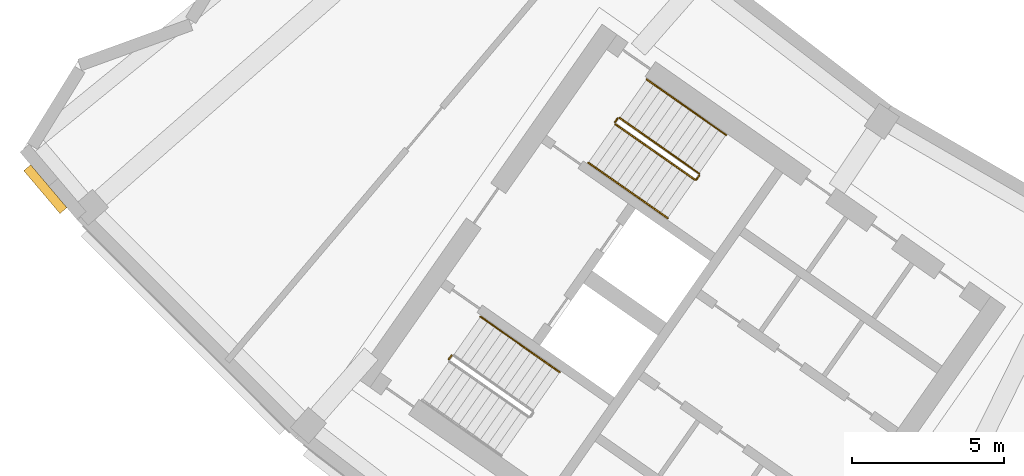
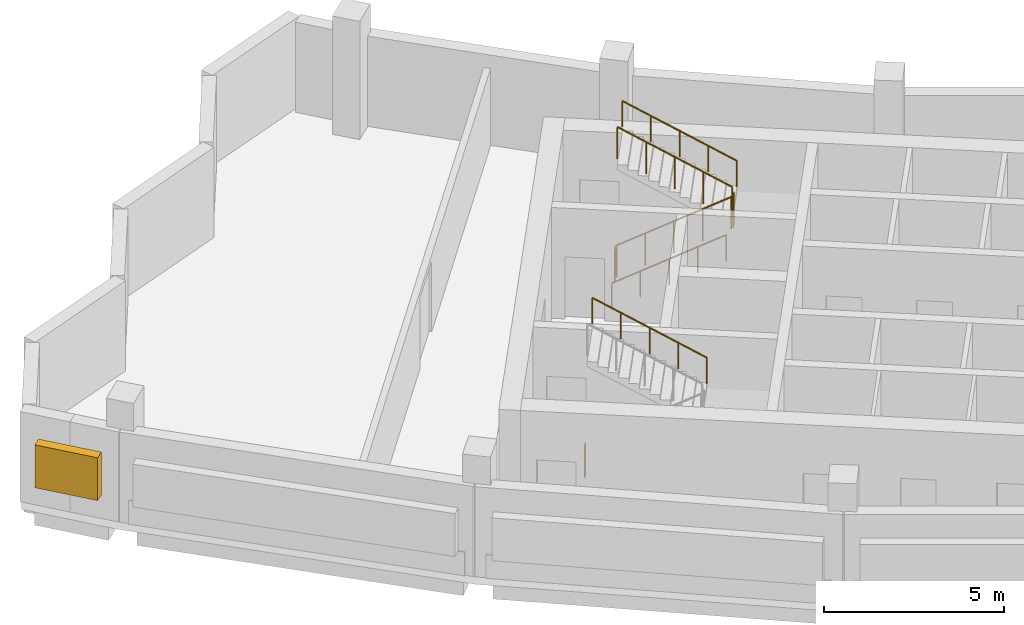
# One storey, part 9 of 11: 7 railings, 1 shading device.
"""IFC4 building model written with IfcOpenShell, lengths in metres."""

from ifc_helpers import new_model, si_unit, direction, frame, origin, origin_2d, place, context, subcontext, project, spatial, rectangle, circle, extrude, material, type_object, element, save


model = new_model("IFC4")

# Units and contexts
model_context = context("Model", 3, precision=1e-05, world=origin(), true_north=direction((0.0, 1.0)))
body_context = subcontext(model_context, "Body", "Model", "MODEL_VIEW")
ifc_project = project(units=[si_unit("LENGTHUNIT", "METRE"), si_unit("AREAUNIT", "SQUARE_METRE"), si_unit("VOLUMEUNIT", "CUBIC_METRE"), si_unit("PLANEANGLEUNIT", "RADIAN"), si_unit("MASSUNIT", "GRAM", prefix="KILO")], contexts=[model_context])

# Site, building, storey
site_placement = place(None, origin())
site = spatial("IfcSite", under=ifc_project, at=site_placement, CompositionType="ELEMENT")
building_placement = place(site_placement, origin())
building = spatial("IfcBuilding", under=site, at=building_placement, Name="Qamariyya Broadcast Tower", CompositionType="ELEMENT")
storey_placement = place(building_placement, frame((0.0, 0.0, 298.699951171875)))
storey = spatial("IfcBuildingStorey", under=building, at=storey_placement, Name="L72", CompositionType="ELEMENT", Elevation=298.699951171875)

# Railings
ifc_material_1 = material(Name="Painted steel", Category="steel")
railing_type_1 = type_object("IfcRailingType", Name="Stair guard", PredefinedType="GUARDRAIL", material=ifc_material_1)
railing_1_placement = place(storey_placement, frame((-41.146728515625, -48.52490234375, 0.166748046875)))
element("IfcRailing", 1, at=railing_1_placement, inside=storey, type_object=railing_type_1, Name="L72 ST-W2 stair guard 1", PredefinedType="GUARDRAIL", context=body_context, shape_type="SweptSolid", body=[
    extrude(circle(Radius=0.02392578125, at=origin_2d()), frame((0.0, 0.0, 1.076171875), z_axis=(0.710227693972, -0.497285465629, 0.498280832854), x_axis=(0.573559936391, 0.819163597438, 0.0)), (0.0, 0.0, 1.0), 3.67919921875),
    extrude(circle(Radius=0.02392578125, at=origin_2d()), frame((2.613037109375, -1.82958984375, 2.9091796875), z_axis=(0.985059694769, 0.172213233351, 0.0), x_axis=(-0.172213233351, 0.985059694769, 0.0)), (0.0, 0.0, 1.0), 0.07080078125),
    extrude(circle(Radius=0.02392578125, at=origin_2d()), frame((2.682861328125, -1.8173828125, 2.9091796875), z_axis=(0.573353020881, 0.819308436089, 0.0), x_axis=(-0.819308436089, 0.573353020881, 0.0)), (0.0, 0.0, 1.0), 0.14990234375),
    extrude(circle(Radius=0.02099609375, at=origin_2d()), origin(), (0.0, 0.0, 1.0), 1.052001953125),
    extrude(circle(Radius=0.02099609375, at=origin_2d()), frame((0.6533203125, -0.45751953125, 0.458251953125)), (0.0, 0.0, 1.0), 1.052001953125),
    extrude(circle(Radius=0.02099609375, at=origin_2d()), frame((1.306640625, -0.914794921875, 0.91650390625)), (0.0, 0.0, 1.0), 1.052001953125),
    extrude(circle(Radius=0.02099609375, at=origin_2d()), frame((1.959716796875, -1.3720703125, 1.375)), (0.0, 0.0, 1.0), 1.052001953125),
    extrude(circle(Radius=0.02099609375, at=origin_2d()), frame((2.613037109375, -1.82958984375, 1.833251953125)), (0.0, 0.0, 1.0), 1.052001953125),
    extrude(circle(Radius=0.02099609375, at=origin_2d()), frame((2.682861328125, -1.8173828125, 1.833251953125)), (0.0, 0.0, 1.0), 1.052001953125),
    extrude(circle(Radius=0.02099609375, at=origin_2d()), frame((2.768798828125, -1.694580078125, 1.833251953125)), (0.0, 0.0, 1.0), 1.052001953125),
])
railing_2_placement = place(storey_placement, frame((-38.39013671875, -50.14990234375, 2.166748046875)))
element("IfcRailing", 2, at=railing_2_placement, inside=storey, type_object=railing_type_1, Name="L72 ST-W2 stair guard 2", PredefinedType="GUARDRAIL", context=body_context, shape_type="SweptSolid", body=[
    extrude(circle(Radius=0.02392578125, at=origin_2d()), frame((0.0, 0.0, 1.076171875), z_axis=(-0.710204256923, 0.497335411159, 0.498264389913), x_axis=(-0.573611290809, -0.819127637829, 0.0)), (0.0, 0.0, 1.0), 3.67919921875),
    extrude(circle(Radius=0.02099609375, at=origin_2d()), origin(), (0.0, 0.0, 1.0), 1.052001953125),
    extrude(circle(Radius=0.02099609375, at=origin_2d()), frame((-0.6533203125, 0.45751953125, 0.458251953125)), (0.0, 0.0, 1.0), 1.052001953125),
    extrude(circle(Radius=0.02099609375, at=origin_2d()), frame((-1.306640625, 0.9150390625, 0.91650390625)), (0.0, 0.0, 1.0), 1.052001953125),
    extrude(circle(Radius=0.02099609375, at=origin_2d()), frame((-1.959716796875, 1.372314453125, 1.375)), (0.0, 0.0, 1.0), 1.052001953125),
    extrude(circle(Radius=0.02099609375, at=origin_2d()), frame((-2.613037109375, 1.829833984375, 1.833251953125)), (0.0, 0.0, 1.0), 1.052001953125),
])
railing_3_placement = place(storey_placement, frame((-41.158935546875, -48.455322265625, 0.0)))
element("IfcRailing", 3, at=railing_3_placement, inside=storey, type_object=railing_type_1, Name="L72 ST-W2 stair guard 3", PredefinedType="GUARDRAIL", context=body_context, shape_type="SweptSolid", body=[
    extrude(circle(Radius=0.02392578125, at=origin_2d()), frame((0.0, 0.0, 1.076171875), z_axis=(0.572588637393, 0.819842821722, 0.0), x_axis=(-0.819842821722, 0.572588637393, 0.0)), (0.0, 0.0, 1.0), 0.150146484375),
    extrude(circle(Radius=0.02099609375, at=origin_2d()), origin(), (0.0, 0.0, 1.0), 1.052001953125),
    extrude(circle(Radius=0.02099609375, at=origin_2d()), frame((0.0859375, 0.123046875, 0.0)), (0.0, 0.0, 1.0), 1.052001953125),
])
railing_4_placement = place(storey_placement, frame((-46.63671875, -56.278076171875, 0.0)))
element("IfcRailing", 4, at=railing_4_placement, inside=storey, type_object=railing_type_1, Name="L72 ST-W1 stair guard 3", PredefinedType="GUARDRAIL", context=body_context, shape_type="SweptSolid", body=[
    extrude(circle(Radius=0.02392578125, at=origin_2d()), frame((0.0, 0.0, 1.076171875), z_axis=(0.574444878118, 0.818543268254, 0.0), x_axis=(-0.818543268254, 0.574444878118, 0.0)), (0.0, 0.0, 1.0), 0.150146484375),
    extrude(circle(Radius=0.02099609375, at=origin_2d()), origin(), (0.0, 0.0, 1.0), 1.052001953125),
    extrude(circle(Radius=0.02099609375, at=origin_2d()), frame((0.086181640625, 0.122802734375, 0.0)), (0.0, 0.0, 1.0), 1.052001953125),
])
ifc_material_2 = material(Name="Stainless steel", Category="steel")
railing_type_2 = type_object("IfcRailingType", Name="Stair handrail", PredefinedType="HANDRAIL", material=ifc_material_2)
railing_5_placement = place(storey_placement, frame((-42.03564453125, -49.79443359375, 0.166748046875)))
element("IfcRailing", 5, at=railing_5_placement, inside=storey, type_object=railing_type_2, Name="L72 ST-W2 stair handrail 1", PredefinedType="HANDRAIL", context=body_context, shape_type="SweptSolid", body=[
    extrude(circle(Radius=0.02392578125, at=origin_2d()), frame((0.0, 0.0, 0.8759765625), z_axis=(0.710204256923, -0.497335411159, 0.498264389913), x_axis=(0.573611290809, 0.819127637829, 0.0)), (0.0, 0.0, 1.0), 3.67919921875),
    extrude(circle(Radius=0.02099609375, at=origin_2d()), origin(), (0.0, 0.0, 1.0), 0.851806640625),
    extrude(circle(Radius=0.02099609375, at=origin_2d()), frame((0.6533203125, -0.45751953125, 0.458251953125)), (0.0, 0.0, 1.0), 0.851806640625),
    extrude(circle(Radius=0.02099609375, at=origin_2d()), frame((1.306640625, -0.9150390625, 0.91650390625)), (0.0, 0.0, 1.0), 0.851806640625),
    extrude(circle(Radius=0.02099609375, at=origin_2d()), frame((1.959716796875, -1.372314453125, 1.375)), (0.0, 0.0, 1.0), 0.851806640625),
    extrude(circle(Radius=0.02099609375, at=origin_2d()), frame((2.613037109375, -1.829833984375, 1.833251953125)), (0.0, 0.0, 1.0), 0.851806640625),
])
railing_6_placement = place(storey_placement, frame((-37.501220703125, -48.880126953125, 2.166748046875)))
element("IfcRailing", 6, at=railing_6_placement, inside=storey, type_object=railing_type_2, Name="L72 ST-W2 stair handrail 2", PredefinedType="HANDRAIL", context=body_context, shape_type="SweptSolid", body=[
    extrude(circle(Radius=0.02392578125, at=origin_2d()), frame((0.0, 0.0, 0.8759765625), z_axis=(-0.710204256923, 0.497335411159, 0.498264389913), x_axis=(-0.573611290809, -0.819127637829, 0.0)), (0.0, 0.0, 1.0), 3.67919921875),
    extrude(circle(Radius=0.02099609375, at=origin_2d()), origin(), (0.0, 0.0, 1.0), 0.851806640625),
    extrude(circle(Radius=0.02099609375, at=origin_2d()), frame((-0.6533203125, 0.45751953125, 0.458251953125)), (0.0, 0.0, 1.0), 0.851806640625),
    extrude(circle(Radius=0.02099609375, at=origin_2d()), frame((-1.306640625, 0.9150390625, 0.91650390625)), (0.0, 0.0, 1.0), 0.851806640625),
    extrude(circle(Radius=0.02099609375, at=origin_2d()), frame((-1.959716796875, 1.372314453125, 1.375)), (0.0, 0.0, 1.0), 0.851806640625),
    extrude(circle(Radius=0.02099609375, at=origin_2d()), frame((-2.613037109375, 1.829833984375, 1.833251953125)), (0.0, 0.0, 1.0), 0.851806640625),
])
railing_7_placement = place(storey_placement, frame((-42.978759765625, -56.702880859375, 2.166748046875)))
element("IfcRailing", 7, at=railing_7_placement, inside=storey, type_object=railing_type_2, Name="L72 ST-W1 stair handrail 2", PredefinedType="HANDRAIL", context=body_context, shape_type="SweptSolid", body=[
    extrude(circle(Radius=0.02392578125, at=origin_2d()), frame((0.0, 0.0, 0.8759765625), z_axis=(-0.710227693972, 0.497285465629, 0.498280832854), x_axis=(-0.573559936391, -0.819163597438, 0.0)), (0.0, 0.0, 1.0), 3.67919921875),
    extrude(circle(Radius=0.02099609375, at=origin_2d()), origin(), (0.0, 0.0, 1.0), 0.851806640625),
    extrude(circle(Radius=0.02099609375, at=origin_2d()), frame((-0.6533203125, 0.45751953125, 0.458251953125)), (0.0, 0.0, 1.0), 0.851806640625),
    extrude(circle(Radius=0.02099609375, at=origin_2d()), frame((-1.306640625, 0.914794921875, 0.91650390625)), (0.0, 0.0, 1.0), 0.851806640625),
    extrude(circle(Radius=0.02099609375, at=origin_2d()), frame((-1.959716796875, 1.3720703125, 1.375)), (0.0, 0.0, 1.0), 0.851806640625),
    extrude(circle(Radius=0.02099609375, at=origin_2d()), frame((-2.613037109375, 1.82958984375, 1.833251953125)), (0.0, 0.0, 1.0), 0.851806640625),
])

# Shading device
ifc_material_3 = material(Name="Glazed terracotta", Category="masonry")
shading_device_type = type_object("IfcShadingDeviceType", Name="Terracotta louvre bank", PredefinedType="USERDEFINED", material=ifc_material_3)
shading_device_placement = place(storey_placement, frame((-59.94140625, -50.66796875, 0.80029296875), z_axis=(0.0, 0.0, 1.0), x_axis=(0.645559567332, -0.763709922042, 0.0)))
element("IfcShadingDevice", 8, at=shading_device_placement, inside=storey, type_object=shading_device_type, Name="e-lv-L72-00", ObjectType="LOUVRE", PredefinedType="USERDEFINED", context=body_context, shape_type="SweptSolid", body=[
    extrude(rectangle(XDim=1.8505859375, YDim=0.300048828125, at=origin_2d()), origin(), (0.0, 0.0, 1.0), 1.449951171875),
])

save(model, "model.ifc")
